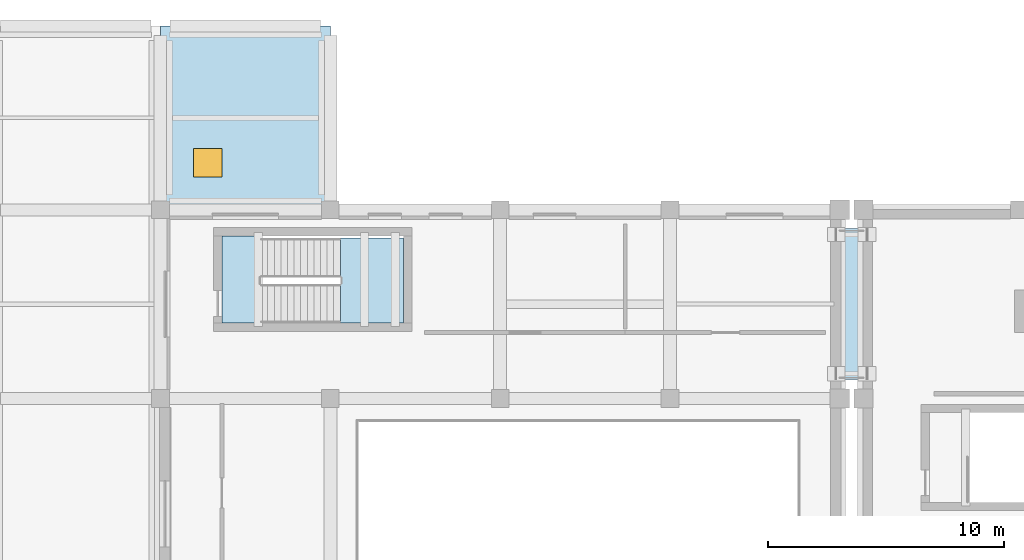
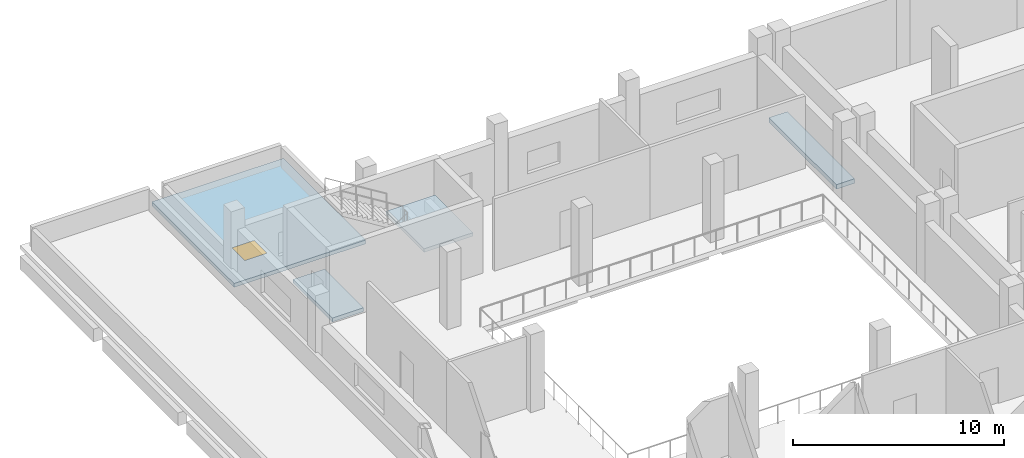
# One storey, part 11 of 23: 4 slabs, 1 window, 1 opening, 1 element without a shape of its own.
"""IFC4 building model written with IfcOpenShell, lengths in metres."""

from ifc_helpers import new_model, si_unit, direction, frame, origin, origin_2d, place, context, subcontext, project, spatial, polyline, rectangle, outline, extrude, material, layer, layer_set, type_object, element, fill, aggregate, save


model = new_model("IFC4")

# Units and contexts
model_context = context("Model", 3, precision=1e-05, world=origin(), true_north=direction((0.0, 1.0)))
body_context = subcontext(model_context, "Body", "Model", "MODEL_VIEW")
ifc_project = project(units=[si_unit("LENGTHUNIT", "METRE"), si_unit("AREAUNIT", "SQUARE_METRE"), si_unit("VOLUMEUNIT", "CUBIC_METRE"), si_unit("PLANEANGLEUNIT", "RADIAN"), si_unit("MASSUNIT", "GRAM", prefix="KILO")], contexts=[model_context])

# Site, building, storey
site_placement = place(None, origin())
site = spatial("IfcSite", under=ifc_project, at=site_placement, CompositionType="ELEMENT")
building_placement = place(site_placement, origin())
building = spatial("IfcBuilding", under=site, at=building_placement, Name="Kelarvand Opera House", CompositionType="ELEMENT")
storey_placement = place(building_placement, frame((0.0, 0.0, 19.5)))
storey = spatial("IfcBuildingStorey", under=building, at=storey_placement, Name="L04", CompositionType="ELEMENT", Elevation=19.5)

# Slab
ifc_material_1 = material(Name="Concrete C35/45", Category="concrete")
ifc_layer_1 = layer(ifc_material_1, 0.219970703125, Name="Concrete C35/45", Category="concrete")
ifc_layer_set_1 = layer_set([ifc_layer_1], Name="Concrete C35/45")
slab_type_1 = type_object("IfcSlabType", Name="Core Stair Entry Landing Slab 220", PredefinedType="LANDING", material=ifc_layer_set_1)
slab_1_placement = place(storey_placement, frame((0.0, 0.0, -0.219970703125)))
element("IfcSlab", 1, at=slab_1_placement, inside=storey, type_object=slab_type_1, Name="C3 Stair Entry Landing L04", PredefinedType="LANDING", context=body_context, shape_type="SweptSolid", body=[
    extrude(outline(polyline([(61.800048828125, 73.60009765625), (63.52001953125, 73.60009765625), (63.52001953125, 77.300048828125), (61.800048828125, 77.300048828125), (61.800048828125, 73.60009765625)])), origin(), (0.0, 0.0, 1.0), 0.219970703125),
])

# Slab, opening, window
ifc_layer_2 = layer(ifc_material_1, 0.219970703125, Name="Concrete C35/45", Category="concrete")
ifc_layer_set_2 = layer_set([ifc_layer_2], Name="Concrete C35/45")
slab_type_2 = type_object("IfcSlabType", Name="Flat Structural Roof Slab 220", PredefinedType="ROOF", material=ifc_layer_set_2)
slab_2_placement = place(storey_placement, frame((0.0, 0.0, -0.219970703125)))
slab_2 = element("IfcSlab", 2, at=slab_2_placement, inside=storey, type_object=slab_type_2, Name="V2 Flat Roof Slab L04 3", PredefinedType="ROOF", context=body_context, shape_type="SweptSolid", body=[
    extrude(outline(polyline([(59.199951171875, 78.39990234375), (66.39990234375, 78.39990234375), (66.39990234375, 86.199951171875), (59.199951171875, 86.199951171875), (59.199951171875, 78.39990234375)])), origin(), (0.0, 0.0, 1.0), 0.219970703125),
])
opening_placement = place(slab_2_placement, frame((61.199951171875, 80.39990234375, 0.0)))
opening = element("IfcOpeningElement", 3, at=opening_placement, cuts=slab_2, Name="Opening RH-01", PredefinedType="OPENING", context=body_context, shape_type="SweptSolid", body=[
    extrude(rectangle(XDim=1.199951171875, YDim=1.199951171875, at=origin_2d()), frame((0.0, 0.0, -0.010009765625)), (0.0, 0.0, 1.0), 0.239990234375),
])
ifc_material_2 = material(Name="Insulated aluminium roof access hatch", Category="aluminium")
window_type = type_object("IfcWindowType", Name="Insulated Flat-Roof Maintenance Access Hatch 1200x1200", PartitioningType="SINGLE_PANEL", PredefinedType="SKYLIGHT", material=ifc_material_2)
window_placement = place(opening_placement, frame((0.0, 0.0, 0.169921875)))
window = element("IfcWindow", 4, at=window_placement, inside=storey, type_object=window_type, Name="V2 Maintenance Roof Hatch 6", OverallHeight=1.199951171875, OverallWidth=1.199951171875, PartitioningType="SINGLE_PANEL", PredefinedType="SKYLIGHT", context=body_context, shape_type="SweptSolid", body=[
    extrude(rectangle(XDim=1.199951171875, YDim=1.199951171875, at=origin_2d()), origin(), (0.0, 0.0, 1.0), 0.050048828125),
])
fill(opening, window)

# Stair, slab
stair_type = type_object("IfcStairType", Name="Dogleg Concrete Exit Stair 1660mm 26R STA-03", PredefinedType="HALF_TURN_STAIR", material=ifc_material_1)
stair_placement = place(storey_placement, origin())
stair = element("IfcStair", 5, at=stair_placement, inside=storey, type_object=stair_type, Name="L04 Fly Tower North Technical Core C3 Stair ST-03", PredefinedType="HALF_TURN_STAIR")
ifc_layer_3 = layer(ifc_material_1, 0.199951171875, Name="Concrete C35/45", Category="concrete")
ifc_layer_set_3 = layer_set([ifc_layer_3], Name="Concrete C35/45")
slab_type_3 = type_object("IfcSlabType", Name="Precast Stair Half-Landing Slab 200", PredefinedType="LANDING", material=ifc_layer_set_3)
slab_3_placement = place(storey_placement, frame((0.0, 0.0, 2.050048828125)))
slab_3 = element("IfcSlab", 6, at=slab_3_placement, type_object=slab_type_3, Name="ST-03 landing 1", PredefinedType="LANDING", context=body_context, shape_type="SweptSolid", body=[
    extrude(outline(polyline([(66.820068359375, 73.60009765625), (69.5, 73.60009765625), (69.5, 77.199951171875), (66.820068359375, 77.199951171875), (66.820068359375, 73.60009765625)])), origin(), (0.0, 0.0, 1.0), 0.199951171875),
])
aggregate(stair, [slab_3])

# Slab
ifc_layer_4 = layer(ifc_material_1, 0.260009765625, Name="Concrete C35/45", Category="concrete")
ifc_layer_set_4 = layer_set([ifc_layer_4], Name="Concrete C35/45")
slab_type_4 = type_object("IfcSlabType", Name="Seismic Bridge Deck Slab 260", PredefinedType="FLOOR", material=ifc_layer_set_4)
slab_4_placement = place(storey_placement, frame((0.0, 0.0, -0.260009765625)))
element("IfcSlab", 7, at=slab_4_placement, inside=storey, type_object=slab_type_4, Name="Seismic Joint Sliding Bridge BR-JP-N L04", PredefinedType="FLOOR", context=body_context, shape_type="SweptSolid", body=[
    extrude(outline(polyline([(88.0, 71.199951171875), (89.0, 71.199951171875), (89.0, 77.60009765625), (88.0, 77.60009765625), (88.0, 71.199951171875)])), origin(), (0.0, 0.0, 1.0), 0.260009765625),
])

save(model, "model.ifc")
